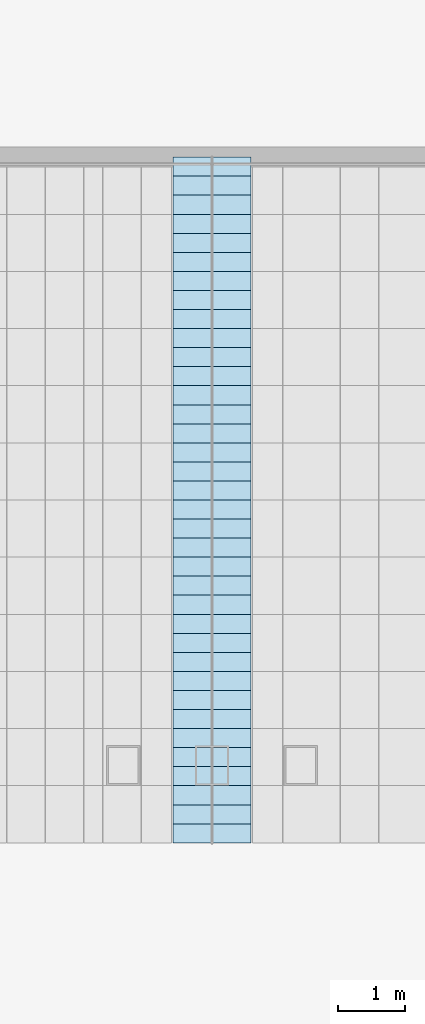
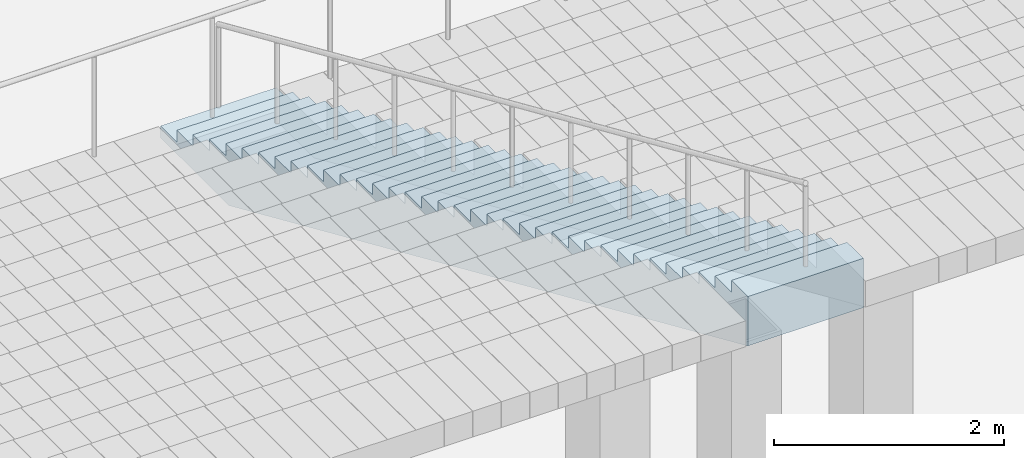
# One storey, part 19 of 62: 1 slab.
"""IFC4 building model written with IfcOpenShell, lengths in metres."""

from ifc_helpers import new_model, si_unit, direction, frame, origin, place, context, subcontext, project, spatial, polyline, outline, extrude, material, layer, layer_set, type_object, element, save


model = new_model("IFC4")

# Units and contexts
model_context = context("Model", 3, precision=1e-05, world=origin(), true_north=direction((0.0, 1.0)))
body_context = subcontext(model_context, "Body", "Model", "MODEL_VIEW")
ifc_project = project(units=[si_unit("LENGTHUNIT", "METRE"), si_unit("AREAUNIT", "SQUARE_METRE"), si_unit("VOLUMEUNIT", "CUBIC_METRE"), si_unit("PLANEANGLEUNIT", "RADIAN"), si_unit("MASSUNIT", "GRAM", prefix="KILO")], contexts=[model_context])

# Site, building, storey
site_placement = place(None, origin())
site = spatial("IfcSite", under=ifc_project, at=site_placement, CompositionType="ELEMENT")
building_placement = place(site_placement, origin())
building = spatial("IfcBuilding", under=site, at=building_placement, Name="Corbelhall Arena Tower", CompositionType="ELEMENT")
storey_placement = place(building_placement, frame((0.0, 0.0, 12.0)))
storey = spatial("IfcBuildingStorey", under=building, at=storey_placement, Name="L01", CompositionType="ELEMENT", Elevation=12.0)

# Slab
ifc_material = material(Name="Precast concrete C40/50", Category="concrete")
ifc_layer = layer(ifc_material, 0.25)
ifc_layer_set = layer_set([ifc_layer], Name="AISLE STEPS (BC 1029)")
slab_type = type_object("IfcSlabType", Name="AISLE STEPS (BC 1029)", PredefinedType="FLOOR", material=ifc_layer_set)
slab_placement = place(storey_placement, frame((6.6201171875, -15.14990234375, 2.375), z_axis=(0.0, 0.0, 1.0), x_axis=(0.0, -1.0, 0.0)))
element("IfcSlab", 1, at=slab_placement, inside=storey, type_object=slab_type, Name="Aisle steps LS-AIS2", PredefinedType="FLOOR", context=body_context, shape_type="SweptSolid", body=[
    extrude(outline(polyline([(0.0, 0.0), (0.0, 0.125), (0.283447265625, 0.125), (0.283447265625, 0.25), (0.566650390625, 0.25), (0.566650390625, 0.375), (0.85009765625, 0.375), (0.85009765625, 0.5), (1.13330078125, 0.5), (1.13330078125, 0.625), (1.416748046875, 0.625), (1.416748046875, 0.75), (1.699951171875, 0.75), (1.699951171875, 0.875), (1.9833984375, 0.875), (1.9833984375, 1.0), (2.2666015625, 1.0), (2.2666015625, 1.125), (2.550048828125, 1.125), (2.550048828125, 1.25), (2.833251953125, 1.25), (2.833251953125, 1.375), (3.11669921875, 1.375), (3.11669921875, 1.5), (3.39990234375, 1.5), (3.39990234375, 1.625), (3.683349609375, 1.625), (3.683349609375, 1.75), (3.966552734375, 1.75), (3.966552734375, 1.875), (4.25, 1.875), (4.25, 2.0), (4.533447265625, 2.0), (4.533447265625, 2.125), (4.816650390625, 2.125), (4.816650390625, 2.25), (5.10009765625, 2.25), (5.10009765625, 2.375), (5.38330078125, 2.375), (5.38330078125, 2.5), (5.666748046875, 2.5), (5.666748046875, 2.625), (5.949951171875, 2.625), (5.949951171875, 2.75), (6.2333984375, 2.75), (6.2333984375, 2.875), (6.5166015625, 2.875), (6.5166015625, 3.0), (6.800048828125, 3.0), (6.800048828125, 3.125), (7.083251953125, 3.125), (7.083251953125, 3.25), (7.36669921875, 3.25), (7.36669921875, 3.375), (7.64990234375, 3.375), (7.64990234375, 3.5), (7.933349609375, 3.5), (7.933349609375, 3.625), (8.216552734375, 3.625), (8.216552734375, 3.75), (8.5, 3.75), (8.5, 3.875), (8.783203125, 3.875), (8.783203125, 4.0), (9.066650390625, 4.0), (9.066650390625, 4.125), (9.35009765625, 4.125), (9.35009765625, 4.25), (9.63330078125, 4.25), (9.63330078125, 4.375), (9.916748046875, 4.375), (9.916748046875, 4.5), (10.199951171875, 4.5), (10.199951171875, 4.625), (10.199951171875, 3.976806640625), (1.18603515625, 0.0), (0.0, 0.0)])), frame((0.0, 0.580078125, 0.0), z_axis=(0.0, -1.0, 0.0), x_axis=(1.0, 0.0, 0.0)), (0.0, 0.0, 1.0), 1.159912109375),
])

save(model, "model.ifc")
